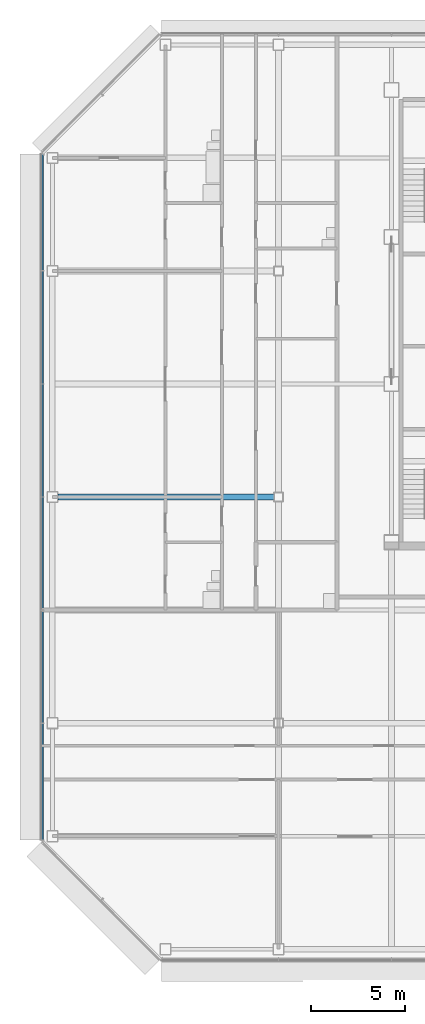
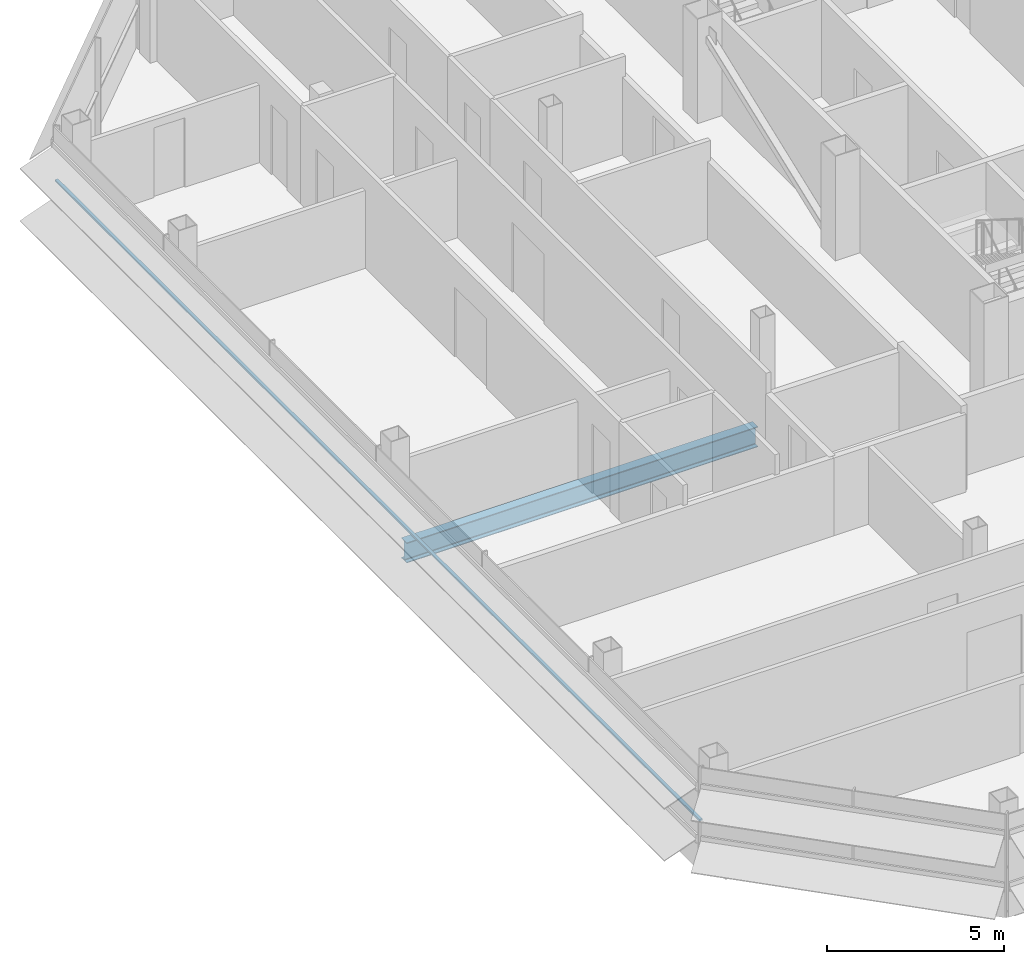
# One storey, part 6 of 28: 1 beam, 1 member, 1 element without a shape of its own.
"""IFC4 building model written with IfcOpenShell, lengths in metres."""

from ifc_helpers import new_model, si_unit, direction, frame, origin, origin_2d, place, context, subcontext, project, spatial, rectangle, i_section, extrude, material, material_profile, profile_set, type_object, element, aggregate, save


model = new_model("IFC4")

# Units and contexts
model_context = context("Model", 3, precision=1e-05, world=origin(), true_north=direction((0.0, 1.0)))
body_context = subcontext(model_context, "Body", "Model", "MODEL_VIEW")
ifc_project = project(units=[si_unit("LENGTHUNIT", "METRE"), si_unit("AREAUNIT", "SQUARE_METRE"), si_unit("VOLUMEUNIT", "CUBIC_METRE"), si_unit("PLANEANGLEUNIT", "RADIAN"), si_unit("MASSUNIT", "GRAM", prefix="KILO")], contexts=[model_context])

# Site, building, storey
site_placement = place(None, origin())
site = spatial("IfcSite", under=ifc_project, at=site_placement, CompositionType="ELEMENT")
building_placement = place(site_placement, origin())
building = spatial("IfcBuilding", under=site, at=building_placement, Name="Sorahane Residences", CompositionType="ELEMENT")
storey_placement = place(building_placement, frame((0.0, 0.0, 254.0)))
storey = spatial("IfcBuildingStorey", under=building, at=storey_placement, Name="L60", CompositionType="ELEMENT", Elevation=254.0)

# Curtain wall, member
ifc_material_1 = material(Name="Dark low-e glass and black anodised aluminium", Category="aluminium")
curtain_wall_type = type_object("IfcCurtainWallType", Name="Curtain wall CW-1 Typical unitised wall", PredefinedType="NOTDEFINED", material=ifc_material_1)
curtain_wall_placement = place(storey_placement, origin())
curtain_wall = element("IfcCurtainWall", 1, at=curtain_wall_placement, inside=storey, type_object=curtain_wall_type, Name="CW-1 curtain wall L60 W1", PredefinedType="NOTDEFINED")
ifc_material_2 = material(Name="Black anodised aluminium", Category="aluminium")
ifc_material_profile_1 = material_profile(ifc_material_2, rectangle(XDim=0.10009765625, YDim=0.06005859375, at=origin_2d()), Name="Curtain wall transom CW-1 black anodised aluminium 60x100")
ifc_profile_set_1 = profile_set([ifc_material_profile_1], Name="Black anodised aluminium")
member_type = type_object("IfcMemberType", Name="Curtain wall transom CW-1 black anodised aluminium 60x100", PredefinedType="USERDEFINED", material=ifc_profile_set_1)
member_placement = place(storey_placement, frame((-12.530029296875, 42.198486328125, 1.5), z_axis=(0.0, -1.0, 0.0), x_axis=(1.0, 0.0, 0.0)))
member = element("IfcMember", 2, at=member_placement, type_object=member_type, Name="CW-1 transom L60 W1", ObjectType="TRANSOM", PredefinedType="USERDEFINED", context=body_context, shape_type="SweptSolid", body=[
    extrude(rectangle(XDim=0.10009765625, YDim=0.06005859375, at=origin_2d()), origin(), (0.0, 0.0, 1.0), 36.39697265625),
])
aggregate(curtain_wall, [member])

# Beam
ifc_material_3 = material(Name="Steel Q355B", Category="steel")
ifc_material_profile_2 = material_profile(ifc_material_3, i_section(OverallWidth=0.300048828125, OverallDepth=0.699951171875, WebThickness=0.012939453125, FlangeThickness=0.02392578125, FilletRadius=0.028076171875, at=origin_2d()), Name="HN 700x300x13x24")
ifc_profile_set_2 = profile_set([ifc_material_profile_2], Name="Steel Q355B")
beam_type = type_object("IfcBeamType", Name="Steel floor beam HN 700x300x13x24 Q355B", PredefinedType="BEAM", material=ifc_profile_set_2)
beam_placement = place(storey_placement, frame((-11.699951171875, 24.0, -0.530029296875), z_axis=(1.0, 0.0, 0.0), x_axis=(0.0, 1.0, 0.0)))
element("IfcBeam", 3, at=beam_placement, inside=storey, type_object=beam_type, Name="Beam L60 011", PredefinedType="BEAM", context=body_context, shape_type="SweptSolid", body=[
    extrude(i_section(OverallWidth=0.300048828125, OverallDepth=0.699951171875, WebThickness=0.012939453125, FlangeThickness=0.02392578125, FilletRadius=0.028076171875, at=origin_2d()), origin(), (0.0, 0.0, 1.0), 11.449951171875),
])

save(model, "model.ifc")
